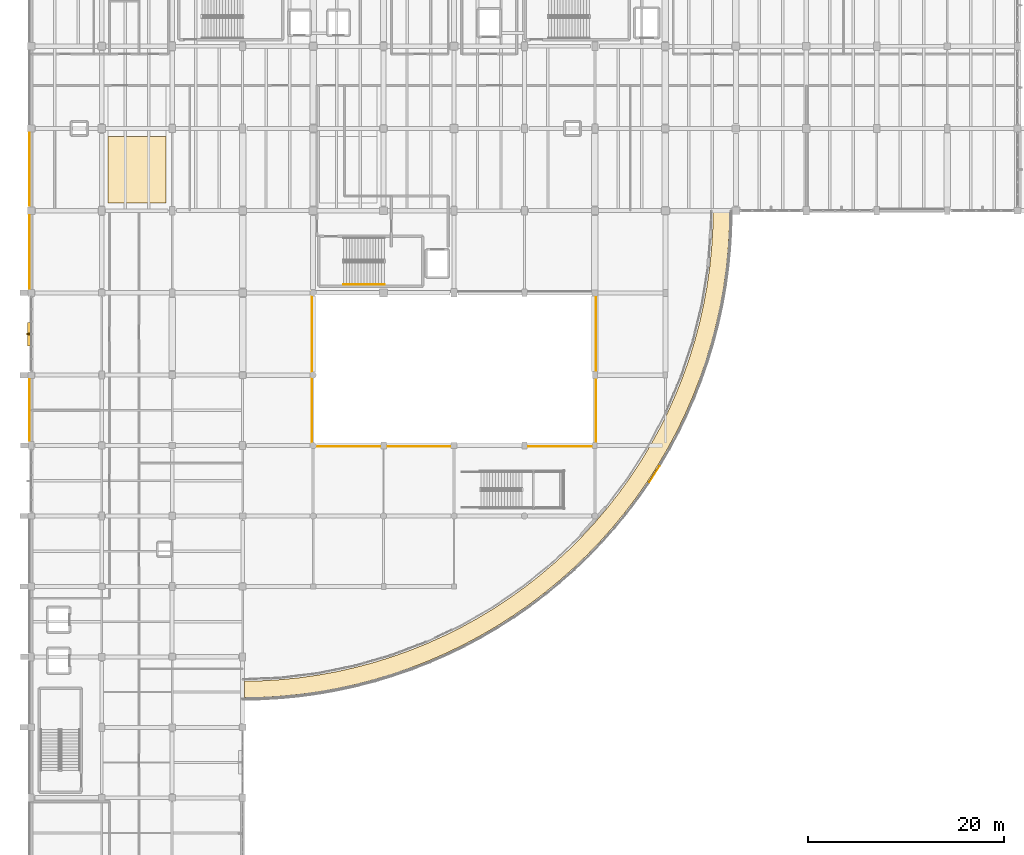
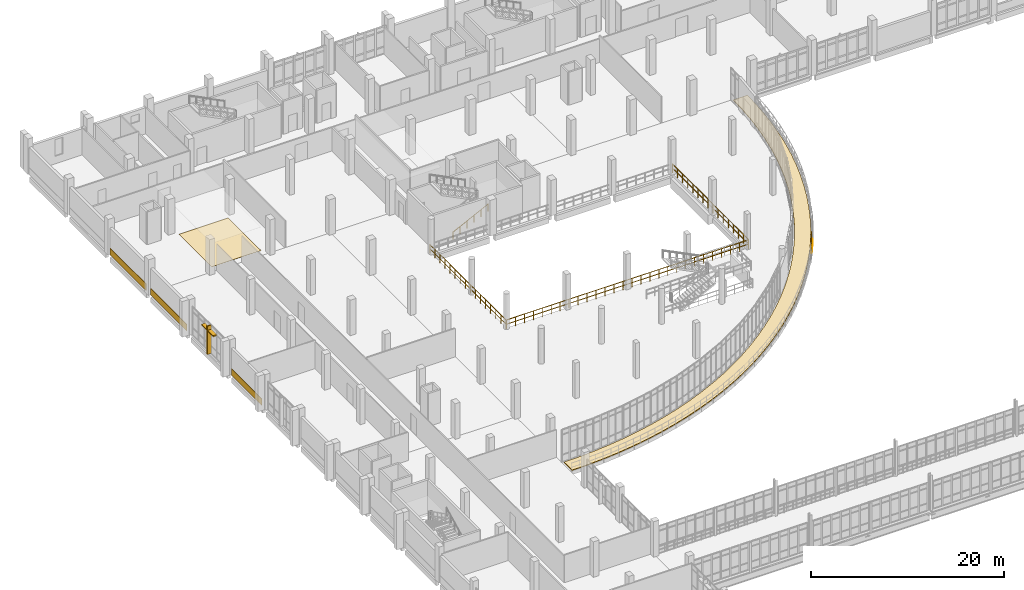
# One storey, part 119 of 124: 6 coverings, 5 railings, 2 shading devices.
"""IFC4 building model written with IfcOpenShell, lengths in metres."""

import ifcopenshell
import ifcopenshell.guid

model = None  # the IFC model being written
_history = None  # IfcOwnerHistory: only IFC2X3 demands one
_inside = {}  # id of a spatial element -> (the spatial element, [elements in it])
_under = {}  # id of a project, library or spatial element -> (it, [spatial elements below it])
_declared = {}  # id of a project -> (the project, [libraries it declares])
_typed = {}  # id of a type object -> (the type object, [elements of that type])
_made_of = {}  # id of a material, layer set ... -> (it, [elements and type objects made of it])


def new_model(schema):
    """Start an empty IFC model of exactly this schema.

    Asked for "IFC4X3", IfcOpenShell would pick the latest addendum, in which some entities
    have other attributes; the version numbers below select the first issue.
    IFC2X3 requires an IfcOwnerHistory on every rooted entity: one is made here for all.
    """
    global model, _history
    if schema == "IFC4X3":
        model = ifcopenshell.file(schema_version=(4, 3, 0, 0))
    else:
        model = ifcopenshell.file(schema=schema)
    _inside.clear()
    _under.clear()
    _declared.clear()
    _typed.clear()
    _made_of.clear()
    _history = None
    if model.schema == "IFC2X3":
        org = make("IfcOrganization", Name="unknown")
        user = make(
            "IfcPersonAndOrganization",
            ThePerson=make("IfcPerson", FamilyName="unknown"),
            TheOrganization=org,
        )
        app = make(
            "IfcApplication",
            ApplicationDeveloper=org,
            Version="unknown",
            ApplicationFullName="unknown",
            ApplicationIdentifier="unknown",
        )
        _history = make(
            "IfcOwnerHistory",
            OwningUser=user,
            OwningApplication=app,
            ChangeAction="ADDED",
            CreationDate=0,
        )
    return model


def make(cls, **values):
    """One entity of the class cls with the attributes given. An attribute that is None is left unset."""
    return model.create_entity(
        cls, **{name: value for name, value in values.items() if value is not None}
    )


def rooted(cls, **values):
    """An entity with a GlobalId (a new one), such as an element, a storey or a relation."""
    return make(cls, GlobalId=ifcopenshell.guid.new(), OwnerHistory=_history, **values)


def si_unit(unit_type, name, prefix=None):
    """IfcSIUnit, for example si_unit("LENGTHUNIT", "METRE", prefix="MILLI")."""
    return make("IfcSIUnit", UnitType=unit_type, Prefix=prefix, Name=name)


def assignment(units):
    """IfcUnitAssignment: the units of a project."""
    return None if units is None else make("IfcUnitAssignment", Units=units)


def point(xyz):
    """IfcCartesianPoint."""
    return None if xyz is None else make("IfcCartesianPoint", Coordinates=xyz)


def direction(xyz):
    """IfcDirection."""
    return None if xyz is None else make("IfcDirection", DirectionRatios=xyz)


def frame(location, z_axis=None, x_axis=None):
    """IfcAxis2Placement3D, a coordinate frame: its origin and axes. An axis left out is left unset."""
    return make(
        "IfcAxis2Placement3D",
        Location=point(location),
        Axis=direction(z_axis),
        RefDirection=direction(x_axis),
    )


def frame_2d(location, x_axis=None):
    """IfcAxis2Placement2D, a coordinate frame in the plane: its origin and x axis."""
    return make(
        "IfcAxis2Placement2D", Location=point(location), RefDirection=direction(x_axis)
    )


def origin():
    """The frame at (0, 0, 0) with its axes left unset."""
    return frame((0.0, 0.0, 0.0))


def origin_2d():
    """The frame at (0, 0) in the plane with its x axis left unset."""
    return frame_2d((0.0, 0.0))


def place(relative_to, where):
    """IfcLocalPlacement: puts the frame where relative to a parent placement (None: the world)."""
    return make(
        "IfcLocalPlacement", PlacementRelTo=relative_to, RelativePlacement=where
    )


def context(
    kind, dimensions, precision=None, world=None, true_north=None, identifier=None
):
    """IfcGeometricRepresentationContext, for example the 3D "Model" context."""
    return make(
        "IfcGeometricRepresentationContext",
        ContextIdentifier=identifier,
        ContextType=kind,
        CoordinateSpaceDimension=dimensions,
        Precision=precision,
        WorldCoordinateSystem=world,
        TrueNorth=true_north,
    )


def subcontext(parent, identifier, kind, view, scale=None):
    """IfcGeometricRepresentationSubContext, for example "Body" below "Model"."""
    return make(
        "IfcGeometricRepresentationSubContext",
        ContextIdentifier=identifier,
        ContextType=kind,
        ParentContext=parent,
        TargetScale=scale,
        TargetView=view,
    )


def project(units=None, contexts=None):
    """IfcProject with its units and contexts."""
    return rooted(
        "IfcProject",
        Name="project",
        RepresentationContexts=contexts,
        UnitsInContext=assignment(units),
    )


def spatial(cls, under=None, at=None, **own):
    """A site, building, storey or space (cls), placed at a placement, below another one or the project."""
    s = rooted(cls, ObjectPlacement=at, **own)
    if under is not None:
        _under.setdefault(under.id(), (under, []))[1].append(s)
    return s


def polyline(points):
    """IfcPolyline through the points."""
    return make("IfcPolyline", Points=[point(p) for p in points])


def profile(cls, at=None, kind="AREA", **sizes):
    """A parametric profile (cls). Its sizes go by their IFC names, for example OverallWidth=200.0."""
    return make(cls, ProfileType=kind, Position=at, **sizes)


def rectangle(**sizes):
    """IfcRectangleProfileDef."""
    return profile("IfcRectangleProfileDef", **sizes)


def circle(**sizes):
    """IfcCircleProfileDef."""
    return profile("IfcCircleProfileDef", **sizes)


def outline(outer, holes=None, kind="AREA"):
    """IfcArbitraryClosedProfileDef: a profile drawn as a closed curve; with holes, ...WithVoids."""
    if holes is None:
        return make("IfcArbitraryClosedProfileDef", ProfileType=kind, OuterCurve=outer)
    return make(
        "IfcArbitraryProfileDefWithVoids",
        ProfileType=kind,
        OuterCurve=outer,
        InnerCurves=holes,
    )


def extrude(swept, where, along, depth):
    """IfcExtrudedAreaSolid: the profile swept, set in the frame where, extruded along a direction by depth."""
    return make(
        "IfcExtrudedAreaSolid",
        SweptArea=swept,
        Position=where,
        ExtrudedDirection=direction(along),
        Depth=depth,
    )


def shape(context_of_items, identifier, shape_type, items):
    """IfcShapeRepresentation: the items that make up one representation, for example the "Body"."""
    return make(
        "IfcShapeRepresentation",
        ContextOfItems=context_of_items,
        RepresentationIdentifier=identifier,
        RepresentationType=shape_type,
        Items=items,
    )


def material(Name=None, Category=None):
    """IfcMaterial."""
    return make("IfcMaterial", Name=Name, Category=Category)


def layer(
    of_material, thickness, ventilated=None, Name=None, Category=None, Priority=None
):
    """IfcMaterialLayer: one layer of a wall or slab, of a material (None: an air gap)."""
    return make(
        "IfcMaterialLayer",
        Material=of_material,
        LayerThickness=thickness,
        IsVentilated=ventilated,
        Name=Name,
        Category=Category,
        Priority=Priority,
    )


def layer_set(layers, Name=None):
    """IfcMaterialLayerSet."""
    return make("IfcMaterialLayerSet", MaterialLayers=layers, LayerSetName=Name)


def made_of(thing, what):
    """Note that an element or type object is made of a material, layer set ...; save() writes the relation."""
    if what is not None:
        _made_of.setdefault(what.id(), (what, []))[1].append(thing)
    return thing


def type_object(cls, material=None, **own):
    """A type object (cls), such as IfcWallType, which elements share."""
    return made_of(rooted(cls, **own), material)


def element(
    cls,
    number,
    at=None,
    inside=None,
    cuts=None,
    type_object=None,
    material=None,
    context=None,
    identifier="Body",
    shape_type=None,
    held_by="IfcProductDefinitionShape",
    body=None,
    shapes=None,
    **own,
):
    """One element of the class cls, such as IfcWall. Its Tag is "e" and its number.

    at: its placement. inside: the storey or other place that contains it. cuts: it is an
    opening in that element (IfcRelVoidsElement). A single representation is given by context,
    identifier, shape_type and body (its items); several are given by shapes. held_by: the class
    of the entity that holds the representations. save() writes the other relations.
    """
    e = rooted(cls, Tag="e%d" % number, ObjectPlacement=at, **own)
    if body is not None:
        shapes = [shape(context, identifier, shape_type, body)]
    if shapes is not None:
        e.Representation = make(held_by, Representations=shapes)
    if inside is not None:
        _inside.setdefault(inside.id(), (inside, []))[1].append(e)
    if cuts is not None:
        rooted(
            "IfcRelVoidsElement", RelatingBuildingElement=cuts, RelatedOpeningElement=e
        )
    if type_object is not None:
        _typed.setdefault(type_object.id(), (type_object, []))[1].append(e)
    return made_of(e, material)


def aggregate(whole, parts):
    """IfcRelAggregates: a whole, such as a stair, and the parts it consists of."""
    return rooted("IfcRelAggregates", RelatingObject=whole, RelatedObjects=parts)


def save(model, path):
    """Write the relations noted so far, then the file.

    IfcRelAggregates (storeys below a building ...), IfcRelContainedInSpatialStructure (elements
    in a storey), IfcRelDefinesByType, IfcRelAssociatesMaterial and IfcRelDeclares: one each for
    every whole, place, type object, material and project.
    """
    for whole, parts in _under.values():
        aggregate(whole, parts)
    for where, things in _inside.values():
        rooted(
            "IfcRelContainedInSpatialStructure",
            RelatedElements=things,
            RelatingStructure=where,
        )
    for kind, things in _typed.values():
        rooted("IfcRelDefinesByType", RelatedObjects=things, RelatingType=kind)
    for what, things in _made_of.values():
        rooted("IfcRelAssociatesMaterial", RelatedObjects=things, RelatingMaterial=what)
    for by, libraries in _declared.values():
        rooted("IfcRelDeclares", RelatingContext=by, RelatedDefinitions=libraries)
    model.write(path)


model = new_model("IFC4")

# Units and contexts
model_context = context("Model", 3, precision=1e-05, world=origin(), true_north=direction((0.0, 1.0)))
body_context = subcontext(model_context, "Body", "Model", "MODEL_VIEW")
ifc_project = project(units=[si_unit("LENGTHUNIT", "METRE"), si_unit("AREAUNIT", "SQUARE_METRE"), si_unit("VOLUMEUNIT", "CUBIC_METRE"), si_unit("PLANEANGLEUNIT", "RADIAN"), si_unit("MASSUNIT", "GRAM", prefix="KILO")], contexts=[model_context])

# Site, building, storey
site_placement = place(None, origin())
site = spatial("IfcSite", under=ifc_project, at=site_placement, CompositionType="ELEMENT")
building_placement = place(site_placement, origin())
building = spatial("IfcBuilding", under=site, at=building_placement, Name="Kalluvel Institute of Natural Sciences", CompositionType="ELEMENT")
storey_placement = place(building_placement, frame((0.0, 0.0, 9.89990234375)))
storey = spatial("IfcBuildingStorey", under=building, at=storey_placement, Name="L02", CompositionType="ELEMENT", Elevation=9.89990234375)

# Coverings
ifc_material_1 = material(Name="Sadarahalli Grey Granite Ashlar Concrete M40", Category="masonry")
ifc_layer_1 = layer(ifc_material_1, 0.044921875)
ifc_layer_set_1 = layer_set([ifc_layer_1], Name="Sadarahalli Grey Granite Ashlar Concrete M40")
covering_type_1 = type_object("IfcCoveringType", Name="COV-CLAD-STONE", PredefinedType="CLADDING", material=ifc_layer_set_1)
covering_1_placement = place(storey_placement, frame((13.820068359375, 107.012451171875, 0.025146484375), z_axis=(0.0, 0.0, 1.0), x_axis=(0.0, 1.0, 0.0)))
element("IfcCovering", 1, at=covering_1_placement, inside=storey, type_object=covering_type_1, Name="L02 Sadarahalli granite plinth spandrel cladding 33", PredefinedType="CLADDING", context=body_context, shape_type="SweptSolid", body=[
    extrude(rectangle(XDim=7.465087890625, YDim=0.044921875, at=origin_2d()), origin(), (0.0, 0.0, 1.0), 0.85009765625),
])
covering_2_placement = place(storey_placement, frame((13.830078125, 82.4375, 0.025146484375), z_axis=(0.0, 0.0, 1.0), x_axis=(0.0, 1.0, 0.0)))
element("IfcCovering", 2, at=covering_2_placement, inside=storey, type_object=covering_type_1, Name="L02 Sadarahalli granite plinth spandrel cladding 155", PredefinedType="CLADDING", context=body_context, shape_type="SweptSolid", body=[
    extrude(rectangle(XDim=6.31494140625, YDim=0.044921875, at=origin_2d()), origin(), (0.0, 0.0, 1.0), 0.85009765625),
])
covering_3_placement = place(storey_placement, frame((13.830078125, 98.574951171875, 0.025146484375), z_axis=(0.0, 0.0, 1.0), x_axis=(0.0, 1.0, 0.0)))
element("IfcCovering", 3, at=covering_3_placement, inside=storey, type_object=covering_type_1, Name="L02 Sadarahalli granite plinth spandrel cladding 156", PredefinedType="CLADDING", context=body_context, shape_type="SweptSolid", body=[
    extrude(rectangle(XDim=7.489990234375, YDim=0.044921875, at=origin_2d()), origin(), (0.0, 0.0, 1.0), 0.85009765625),
])
covering_4_placement = place(storey_placement, frame((77.669189453125, 75.869873046875, -0.31982421875), z_axis=(0.0, 0.0, 1.0), x_axis=(0.539211818177, 0.842170181815, 0.0)))
element("IfcCovering", 4, at=covering_4_placement, inside=storey, type_object=covering_type_1, Name="L02 curved terrace Sadarahalli stone spandrel fascia 272", PredefinedType="CLADDING", context=body_context, shape_type="SweptSolid", body=[
    extrude(rectangle(XDim=1.92138671875, YDim=0.054931640625, at=origin_2d()), origin(), (0.0, 0.0, 1.0), 0.47998046875),
])
ifc_material_2 = material(Name="Seamless Chemical-Resistant Epoxy Flooring", Category="resin")
ifc_layer_2 = layer(ifc_material_2, 0.014892578125)
ifc_layer_set_2 = layer_set([ifc_layer_2], Name="Seamless Chemical-Resistant Epoxy Flooring")
covering_type_2 = type_object("IfcCoveringType", Name="COV-FLR-EPOXY", PredefinedType="FLOORING", material=ifc_layer_set_2)
covering_5_placement = place(storey_placement, origin())
element("IfcCovering", 5, at=covering_5_placement, inside=storey, type_object=covering_type_2, Name="L02 seamless epoxy laboratory floor finish 5", PredefinedType="FLOORING", context=body_context, shape_type="SweptSolid", body=[
    extrude(outline(polyline([(21.85009765625, 103.60009765625), (27.75, 103.60009765625), (27.75, 110.39990234375), (21.85009765625, 110.39990234375), (21.85009765625, 103.60009765625)])), origin(), (0.0, 0.0, 1.0), 0.01513671875),
])
ifc_material_3 = material(Name="Planted Sedum and Native Flora Green-Roof Build-Up", Category="earth")
ifc_layer_3 = layer(ifc_material_3, 0.090087890625)
ifc_layer_set_3 = layer_set([ifc_layer_3], Name="Planted Sedum and Native Flora Green-Roof Build-Up")
covering_type_3 = type_object("IfcCoveringType", Name="COV-TER-PLANTED", PredefinedType="ROOFING", material=ifc_layer_set_3)
covering_6_placement = place(storey_placement, origin())
element("IfcCovering", 6, at=covering_6_placement, inside=storey, type_object=covering_type_3, Name="L02 curved stepped botanical planted garden strip", PredefinedType="ROOFING", context=body_context, shape_type="SweptSolid", body=[
    extrude(outline(polyline([(35.780029296875, 53.03369140625), (35.780029296875, 54.7236328125), (37.535888671875, 54.7587890625), (39.46875, 54.875732421875), (41.3955078125, 55.070556640625), (43.3125, 55.342529296875), (45.21728515625, 55.691650390625), (47.106201171875, 56.1171875), (48.976806640625, 56.618408203125), (50.825439453125, 57.1943359375), (52.6494140625, 57.844482421875), (54.44580078125, 58.5673828125), (56.211669921875, 59.362060546875), (57.94384765625, 60.227294921875), (59.639892578125, 61.16162109375), (61.297119140625, 62.1630859375), (62.91259765625, 63.23095703125), (64.48388671875, 64.36279296875), (66.008056640625, 65.556884765625), (67.48291015625, 66.8115234375), (68.90625, 68.12451171875), (70.275390625, 69.493896484375), (71.58837890625, 70.9169921875), (72.843017578125, 72.39208984375), (74.037109375, 73.916259765625), (75.169189453125, 75.4873046875), (76.23681640625, 77.102783203125), (77.238525390625, 78.760009765625), (78.172607421875, 80.4560546875), (79.0380859375, 82.1884765625), (79.83251953125, 83.9541015625), (80.5556640625, 85.75048828125), (81.205810546875, 87.57470703125), (81.78173828125, 89.42333984375), (82.282958984375, 91.293701171875), (82.70849609375, 93.182861328125), (83.057373046875, 95.08740234375), (83.32958984375, 97.004638671875), (83.524169921875, 98.93115234375), (83.64111328125, 100.864013671875), (83.676513671875, 102.6201171875), (85.366455078125, 102.6201171875), (85.33154296875, 100.84619140625), (85.216552734375, 98.89501953125), (85.02490234375, 96.9501953125), (84.757080078125, 95.014404296875), (84.41357421875, 93.09033203125), (83.994873046875, 91.181396484375), (83.501220703125, 89.290283203125), (82.93408203125, 87.420166015625), (82.293701171875, 85.57373046875), (81.58154296875, 83.75390625), (80.79833984375, 81.96337890625), (79.9453125, 80.204833984375), (79.024169921875, 78.4814453125), (78.035888671875, 76.79541015625), (76.982177734375, 75.1494140625), (75.86474609375, 73.5458984375), (74.685302734375, 71.98779296875), (73.4453125, 70.47705078125), (72.147216796875, 69.01611328125), (70.792724609375, 67.607421875), (69.3837890625, 66.252685546875), (67.923095703125, 64.95458984375), (66.412109375, 63.71484375), (64.85400390625, 62.535400390625), (63.250732421875, 61.417724609375), (61.604736328125, 60.364013671875), (59.918701171875, 59.3759765625), (58.195068359375, 58.45458984375), (56.436767578125, 57.601806640625), (54.64599609375, 56.818603515625), (52.826171875, 56.106201171875), (50.979736328125, 55.4658203125), (49.109619140625, 54.898681640625), (47.218505859375, 54.4052734375), (45.309814453125, 53.986328125), (43.3857421875, 53.642822265625), (41.44970703125, 53.375), (39.5048828125, 53.18359375), (37.553955078125, 53.068359375), (35.780029296875, 53.03369140625)])), origin(), (0.0, 0.0, 1.0), 0.090087890625),
])

# Railings
ifc_material_4 = material(Name="Steel E350 Grade 350", Category="steel")
railing_type_1 = type_object("IfcRailingType", Name="RL-BAL-EXT", PredefinedType="BALUSTRADE", material=ifc_material_4)
railing_1_placement = place(storey_placement, frame((77.07373046875, 75.088134765625, 0.0)))
element("IfcRailing", 7, at=railing_1_placement, inside=storey, type_object=railing_type_1, Name="L02 curved atrium terrace balustrade", PredefinedType="BALUSTRADE", context=body_context, shape_type="SweptSolid", body=[
    extrude(circle(Radius=0.02392578125, at=origin_2d()), frame((0.0, 0.0, 1.09619140625), z_axis=(0.539099677891, 0.842241970753, 0.0), x_axis=(-0.842241970753, 0.539099677891, 0.0)), (0.0, 0.0, 1.0), 1.958740234375),
    extrude(circle(Radius=0.02392578125, at=origin_2d()), frame((0.0, 0.0, 0.56005859375), z_axis=(0.539099677891, 0.842241970753, 0.0), x_axis=(-0.842241970753, 0.539099677891, 0.0)), (0.0, 0.0, 1.0), 1.958740234375),
    extrude(circle(Radius=0.02099609375, at=origin_2d()), origin(), (0.0, 0.0, 1.0), 1.072021484375),
    extrude(circle(Radius=0.02099609375, at=origin_2d()), frame((0.52783203125, 0.82470703125, 0.0)), (0.0, 0.0, 1.0), 1.072021484375),
    extrude(circle(Radius=0.02099609375, at=origin_2d()), frame((1.055908203125, 1.649658203125, 0.0)), (0.0, 0.0, 1.0), 1.072021484375),
])
ifc_material_5 = material(Name="Galvanized Fire-Rated Steel", Category="steel")
railing_type_2 = type_object("IfcRailingType", Name="RL-GD-ATRIUM", PredefinedType="BALUSTRADE", material=ifc_material_5)
railing_2_placement = place(storey_placement, frame((42.719970703125, 78.679931640625, 0.0)))
element("IfcRailing", 8, at=railing_2_placement, inside=storey, type_object=railing_type_2, Name="L02 Interaction Atrium void safety balustrade S", PredefinedType="BALUSTRADE", context=body_context, shape_type="SweptSolid", body=[
    extrude(circle(Radius=0.02392578125, at=origin_2d()), frame((0.0, 0.0, 1.09619140625), z_axis=(1.0, 0.0, 0.0), x_axis=(0.0, 1.0, 0.0)), (0.0, 0.0, 1.0), 28.9599609375),
    extrude(circle(Radius=0.02392578125, at=origin_2d()), frame((0.0, 0.0, 0.56005859375), z_axis=(1.0, 0.0, 0.0), x_axis=(0.0, 1.0, 0.0)), (0.0, 0.0, 1.0), 28.9599609375),
    extrude(circle(Radius=0.02099609375, at=origin_2d()), origin(), (0.0, 0.0, 1.0), 1.072021484375),
    extrude(circle(Radius=0.02099609375, at=origin_2d()), frame((1.072509765625, 0.0, 0.0)), (0.0, 0.0, 1.0), 1.072021484375),
    extrude(circle(Radius=0.02099609375, at=origin_2d()), frame((2.145263671875, 0.0, 0.0)), (0.0, 0.0, 1.0), 1.072021484375),
    extrude(circle(Radius=0.02099609375, at=origin_2d()), frame((3.2177734375, 0.0, 0.0)), (0.0, 0.0, 1.0), 1.072021484375),
    extrude(circle(Radius=0.02099609375, at=origin_2d()), frame((4.290283203125, 0.0, 0.0)), (0.0, 0.0, 1.0), 1.072021484375),
    extrude(circle(Radius=0.02099609375, at=origin_2d()), frame((5.363037109375, 0.0, 0.0)), (0.0, 0.0, 1.0), 1.072021484375),
    extrude(circle(Radius=0.02099609375, at=origin_2d()), frame((6.435546875, 0.0, 0.0)), (0.0, 0.0, 1.0), 1.072021484375),
    extrude(circle(Radius=0.02099609375, at=origin_2d()), frame((7.508056640625, 0.0, 0.0)), (0.0, 0.0, 1.0), 1.072021484375),
    extrude(circle(Radius=0.02099609375, at=origin_2d()), frame((8.580810546875, 0.0, 0.0)), (0.0, 0.0, 1.0), 1.072021484375),
    extrude(circle(Radius=0.02099609375, at=origin_2d()), frame((9.6533203125, 0.0, 0.0)), (0.0, 0.0, 1.0), 1.072021484375),
    extrude(circle(Radius=0.02099609375, at=origin_2d()), frame((10.725830078125, 0.0, 0.0)), (0.0, 0.0, 1.0), 1.072021484375),
    extrude(circle(Radius=0.02099609375, at=origin_2d()), frame((11.798583984375, 0.0, 0.0)), (0.0, 0.0, 1.0), 1.072021484375),
    extrude(circle(Radius=0.02099609375, at=origin_2d()), frame((12.87109375, 0.0, 0.0)), (0.0, 0.0, 1.0), 1.072021484375),
    extrude(circle(Radius=0.02099609375, at=origin_2d()), frame((13.943603515625, 0.0, 0.0)), (0.0, 0.0, 1.0), 1.072021484375),
    extrude(circle(Radius=0.02099609375, at=origin_2d()), frame((15.016357421875, 0.0, 0.0)), (0.0, 0.0, 1.0), 1.072021484375),
    extrude(circle(Radius=0.02099609375, at=origin_2d()), frame((16.0888671875, 0.0, 0.0)), (0.0, 0.0, 1.0), 1.072021484375),
    extrude(circle(Radius=0.02099609375, at=origin_2d()), frame((17.161376953125, 0.0, 0.0)), (0.0, 0.0, 1.0), 1.072021484375),
    extrude(circle(Radius=0.02099609375, at=origin_2d()), frame((18.234130859375, 0.0, 0.0)), (0.0, 0.0, 1.0), 1.072021484375),
    extrude(circle(Radius=0.02099609375, at=origin_2d()), frame((19.306640625, 0.0, 0.0)), (0.0, 0.0, 1.0), 1.072021484375),
    extrude(circle(Radius=0.02099609375, at=origin_2d()), frame((20.379150390625, 0.0, 0.0)), (0.0, 0.0, 1.0), 1.072021484375),
    extrude(circle(Radius=0.02099609375, at=origin_2d()), frame((21.451904296875, 0.0, 0.0)), (0.0, 0.0, 1.0), 1.072021484375),
    extrude(circle(Radius=0.02099609375, at=origin_2d()), frame((22.5244140625, 0.0, 0.0)), (0.0, 0.0, 1.0), 1.072021484375),
    extrude(circle(Radius=0.02099609375, at=origin_2d()), frame((23.596923828125, 0.0, 0.0)), (0.0, 0.0, 1.0), 1.072021484375),
    extrude(circle(Radius=0.02099609375, at=origin_2d()), frame((24.669677734375, 0.0, 0.0)), (0.0, 0.0, 1.0), 1.072021484375),
    extrude(circle(Radius=0.02099609375, at=origin_2d()), frame((25.7421875, 0.0, 0.0)), (0.0, 0.0, 1.0), 1.072021484375),
    extrude(circle(Radius=0.02099609375, at=origin_2d()), frame((26.814697265625, 0.0, 0.0)), (0.0, 0.0, 1.0), 1.072021484375),
    extrude(circle(Radius=0.02099609375, at=origin_2d()), frame((27.887451171875, 0.0, 0.0)), (0.0, 0.0, 1.0), 1.072021484375),
    extrude(circle(Radius=0.02099609375, at=origin_2d()), frame((28.9599609375, 0.0, 0.0)), (0.0, 0.0, 1.0), 1.072021484375),
])
railing_3_placement = place(storey_placement, frame((71.719970703125, 78.719970703125, 0.0)))
element("IfcRailing", 9, at=railing_3_placement, inside=storey, type_object=railing_type_2, Name="L02 Interaction Atrium void safety balustrade E", PredefinedType="BALUSTRADE", context=body_context, shape_type="SweptSolid", body=[
    extrude(circle(Radius=0.02392578125, at=origin_2d()), frame((0.0, 0.0, 1.09619140625), z_axis=(0.0, 1.0, 0.0), x_axis=(-1.0, 0.0, 0.0)), (0.0, 0.0, 1.0), 15.760009765625),
    extrude(circle(Radius=0.02392578125, at=origin_2d()), frame((0.0, 0.0, 0.56005859375), z_axis=(0.0, 1.0, 0.0), x_axis=(-1.0, 0.0, 0.0)), (0.0, 0.0, 1.0), 15.760009765625),
    extrude(circle(Radius=0.02099609375, at=origin_2d()), origin(), (0.0, 0.0, 1.0), 1.072021484375),
    extrude(circle(Radius=0.02099609375, at=origin_2d()), frame((0.0, 1.05078125, 0.0)), (0.0, 0.0, 1.0), 1.072021484375),
    extrude(circle(Radius=0.02099609375, at=origin_2d()), frame((0.0, 2.101318359375, 0.0)), (0.0, 0.0, 1.0), 1.072021484375),
    extrude(circle(Radius=0.02099609375, at=origin_2d()), frame((0.0, 3.152099609375, 0.0)), (0.0, 0.0, 1.0), 1.072021484375),
    extrude(circle(Radius=0.02099609375, at=origin_2d()), frame((0.0, 4.20263671875, 0.0)), (0.0, 0.0, 1.0), 1.072021484375),
    extrude(circle(Radius=0.02099609375, at=origin_2d()), frame((0.0, 5.25341796875, 0.0)), (0.0, 0.0, 1.0), 1.072021484375),
    extrude(circle(Radius=0.02099609375, at=origin_2d()), frame((0.0, 6.303955078125, 0.0)), (0.0, 0.0, 1.0), 1.072021484375),
    extrude(circle(Radius=0.02099609375, at=origin_2d()), frame((0.0, 7.354736328125, 0.0)), (0.0, 0.0, 1.0), 1.072021484375),
    extrude(circle(Radius=0.02099609375, at=origin_2d()), frame((0.0, 8.4052734375, 0.0)), (0.0, 0.0, 1.0), 1.072021484375),
    extrude(circle(Radius=0.02099609375, at=origin_2d()), frame((0.0, 9.4560546875, 0.0)), (0.0, 0.0, 1.0), 1.072021484375),
    extrude(circle(Radius=0.02099609375, at=origin_2d()), frame((0.0, 10.506591796875, 0.0)), (0.0, 0.0, 1.0), 1.072021484375),
    extrude(circle(Radius=0.02099609375, at=origin_2d()), frame((0.0, 11.557373046875, 0.0)), (0.0, 0.0, 1.0), 1.072021484375),
    extrude(circle(Radius=0.02099609375, at=origin_2d()), frame((0.0, 12.60791015625, 0.0)), (0.0, 0.0, 1.0), 1.072021484375),
    extrude(circle(Radius=0.02099609375, at=origin_2d()), frame((0.0, 13.65869140625, 0.0)), (0.0, 0.0, 1.0), 1.072021484375),
    extrude(circle(Radius=0.02099609375, at=origin_2d()), frame((0.0, 14.709228515625, 0.0)), (0.0, 0.0, 1.0), 1.072021484375),
    extrude(circle(Radius=0.02099609375, at=origin_2d()), frame((0.0, 15.760009765625, 0.0)), (0.0, 0.0, 1.0), 1.072021484375),
])
railing_4_placement = place(storey_placement, frame((42.679931640625, 94.47998046875, 0.0)))
element("IfcRailing", 10, at=railing_4_placement, inside=storey, type_object=railing_type_2, Name="L02 Interaction Atrium void safety balustrade W", PredefinedType="BALUSTRADE", context=body_context, shape_type="SweptSolid", body=[
    extrude(circle(Radius=0.02392578125, at=origin_2d()), frame((0.0, 0.0, 1.09619140625), z_axis=(0.0, -1.0, 0.0), x_axis=(1.0, 0.0, 0.0)), (0.0, 0.0, 1.0), 15.760009765625),
    extrude(circle(Radius=0.02392578125, at=origin_2d()), frame((0.0, 0.0, 0.56005859375), z_axis=(0.0, -1.0, 0.0), x_axis=(1.0, 0.0, 0.0)), (0.0, 0.0, 1.0), 15.760009765625),
    extrude(circle(Radius=0.02099609375, at=origin_2d()), origin(), (0.0, 0.0, 1.0), 1.072021484375),
    extrude(circle(Radius=0.02099609375, at=origin_2d()), frame((0.0, -1.05078125, 0.0)), (0.0, 0.0, 1.0), 1.072021484375),
    extrude(circle(Radius=0.02099609375, at=origin_2d()), frame((0.0, -2.101318359375, 0.0)), (0.0, 0.0, 1.0), 1.072021484375),
    extrude(circle(Radius=0.02099609375, at=origin_2d()), frame((0.0, -3.152099609375, 0.0)), (0.0, 0.0, 1.0), 1.072021484375),
    extrude(circle(Radius=0.02099609375, at=origin_2d()), frame((0.0, -4.20263671875, 0.0)), (0.0, 0.0, 1.0), 1.072021484375),
    extrude(circle(Radius=0.02099609375, at=origin_2d()), frame((0.0, -5.25341796875, 0.0)), (0.0, 0.0, 1.0), 1.072021484375),
    extrude(circle(Radius=0.02099609375, at=origin_2d()), frame((0.0, -6.303955078125, 0.0)), (0.0, 0.0, 1.0), 1.072021484375),
    extrude(circle(Radius=0.02099609375, at=origin_2d()), frame((0.0, -7.354736328125, 0.0)), (0.0, 0.0, 1.0), 1.072021484375),
    extrude(circle(Radius=0.02099609375, at=origin_2d()), frame((0.0, -8.4052734375, 0.0)), (0.0, 0.0, 1.0), 1.072021484375),
    extrude(circle(Radius=0.02099609375, at=origin_2d()), frame((0.0, -9.4560546875, 0.0)), (0.0, 0.0, 1.0), 1.072021484375),
    extrude(circle(Radius=0.02099609375, at=origin_2d()), frame((0.0, -10.506591796875, 0.0)), (0.0, 0.0, 1.0), 1.072021484375),
    extrude(circle(Radius=0.02099609375, at=origin_2d()), frame((0.0, -11.557373046875, 0.0)), (0.0, 0.0, 1.0), 1.072021484375),
    extrude(circle(Radius=0.02099609375, at=origin_2d()), frame((0.0, -12.60791015625, 0.0)), (0.0, 0.0, 1.0), 1.072021484375),
    extrude(circle(Radius=0.02099609375, at=origin_2d()), frame((0.0, -13.65869140625, 0.0)), (0.0, 0.0, 1.0), 1.072021484375),
    extrude(circle(Radius=0.02099609375, at=origin_2d()), frame((0.0, -14.709228515625, 0.0)), (0.0, 0.0, 1.0), 1.072021484375),
    extrude(circle(Radius=0.02099609375, at=origin_2d()), frame((0.0, -15.760009765625, 0.0)), (0.0, 0.0, 1.0), 1.072021484375),
])
railing_type_3 = type_object("IfcRailingType", Name="RL-HR-STAIR", PredefinedType="HANDRAIL", material=ifc_material_5)
railing_5_placement = place(storey_placement, frame((45.89990234375, 95.25, 0.150146484375)))
element("IfcRailing", 11, at=railing_5_placement, inside=storey, type_object=railing_type_3, Name="L02 ST3 stair handrail 1", PredefinedType="HANDRAIL", context=body_context, shape_type="SweptSolid", body=[
    extrude(circle(Radius=0.02392578125, at=origin_2d()), frame((0.0, 0.0, 0.89599609375), z_axis=(0.894447986312, 0.0, 0.447172002457), x_axis=(0.0, 1.0, 0.0)), (0.0, 0.0, 1.0), 4.69580078125),
    extrude(circle(Radius=0.02099609375, at=origin_2d()), origin(), (0.0, 0.0, 1.0), 0.871826171875),
    extrude(circle(Radius=0.02099609375, at=origin_2d()), frame((0.840087890625, 0.0, 0.419921875)), (0.0, 0.0, 1.0), 0.871826171875),
    extrude(circle(Radius=0.02099609375, at=origin_2d()), frame((1.68017578125, 0.0, 0.83984375)), (0.0, 0.0, 1.0), 0.871826171875),
    extrude(circle(Radius=0.02099609375, at=origin_2d()), frame((2.52001953125, 0.0, 1.260009765625)), (0.0, 0.0, 1.0), 0.871826171875),
    extrude(circle(Radius=0.02099609375, at=origin_2d()), frame((3.360107421875, 0.0, 1.679931640625)), (0.0, 0.0, 1.0), 0.871826171875),
    extrude(circle(Radius=0.02099609375, at=origin_2d()), frame((4.2001953125, 0.0, 2.099853515625)), (0.0, 0.0, 1.0), 0.871826171875),
])

# Shading devices
shading_device_type_1 = type_object("IfcShadingDeviceType", Name="SHD-FIN-STONE", PredefinedType="USERDEFINED", material=ifc_material_1)
shading_device_1_placement = place(storey_placement, frame((13.780029296875, 90.1875, 0.0), z_axis=(0.0, 0.0, 1.0), x_axis=(0.0, 1.0, 0.0)))
element("IfcShadingDevice", 12, at=shading_device_1_placement, inside=storey, type_object=shading_device_type_1, Name="L02 monsoon lancet shading fin 144", ObjectType="MONSOON FIN", PredefinedType="USERDEFINED", context=body_context, shape_type="SweptSolid", body=[
    extrude(rectangle(XDim=0.139892578125, YDim=0.47998046875, at=origin_2d()), origin(), (0.0, 0.0, 1.0), 3.570068359375),
])
ifc_material_6 = material(Name="Aluminium AW-6063 T6", Category="aluminium")
shading_device_type_2 = type_object("IfcShadingDeviceType", Name="SHD-LOUV-ALU", PredefinedType="JALOUSIE", material=ifc_material_6)
shading_device_2_placement = place(storey_placement, frame((13.800048828125, 90.1875, 2.89013671875), z_axis=(0.0, 0.0, 1.0), x_axis=(0.0, 1.0, 0.0)))
element("IfcShadingDevice", 13, at=shading_device_2_placement, inside=storey, type_object=shading_device_type_2, Name="L02 aluminium sun-shading louvre 145", PredefinedType="JALOUSIE", context=body_context, shape_type="SweptSolid", body=[
    extrude(rectangle(XDim=2.39990234375, YDim=0.419921875, at=origin_2d()), origin(), (0.0, 0.0, 1.0), 0.159912109375),
])

save(model, "model.ifc")
